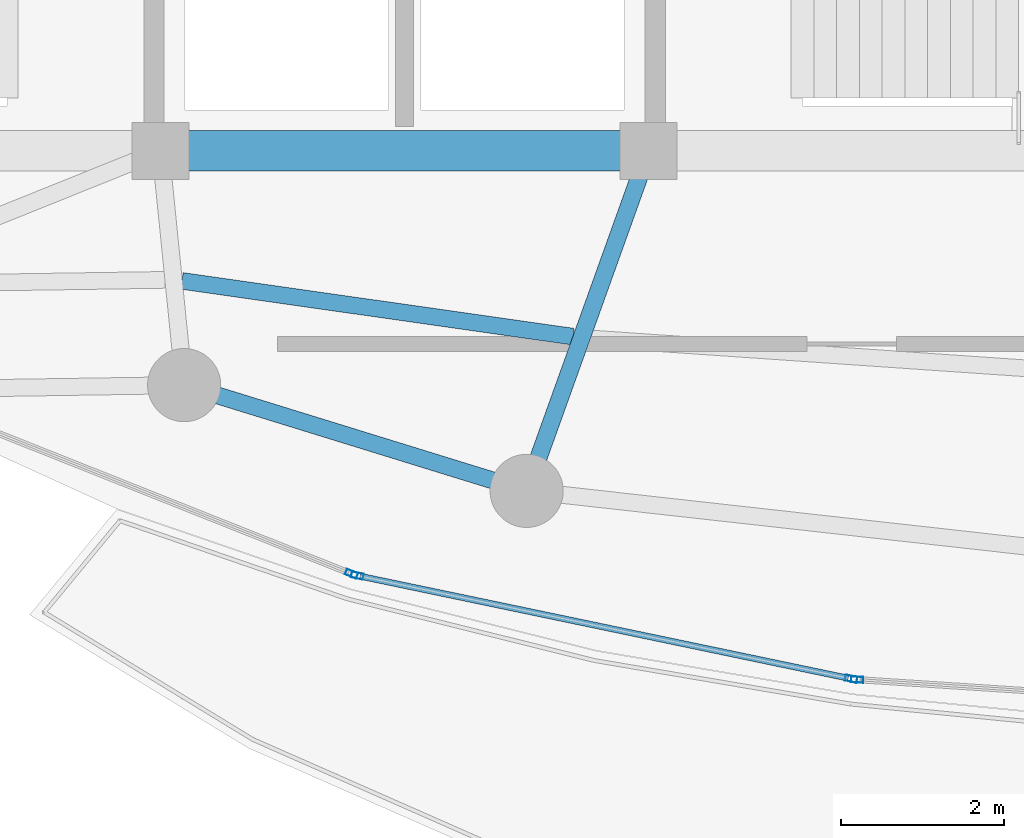
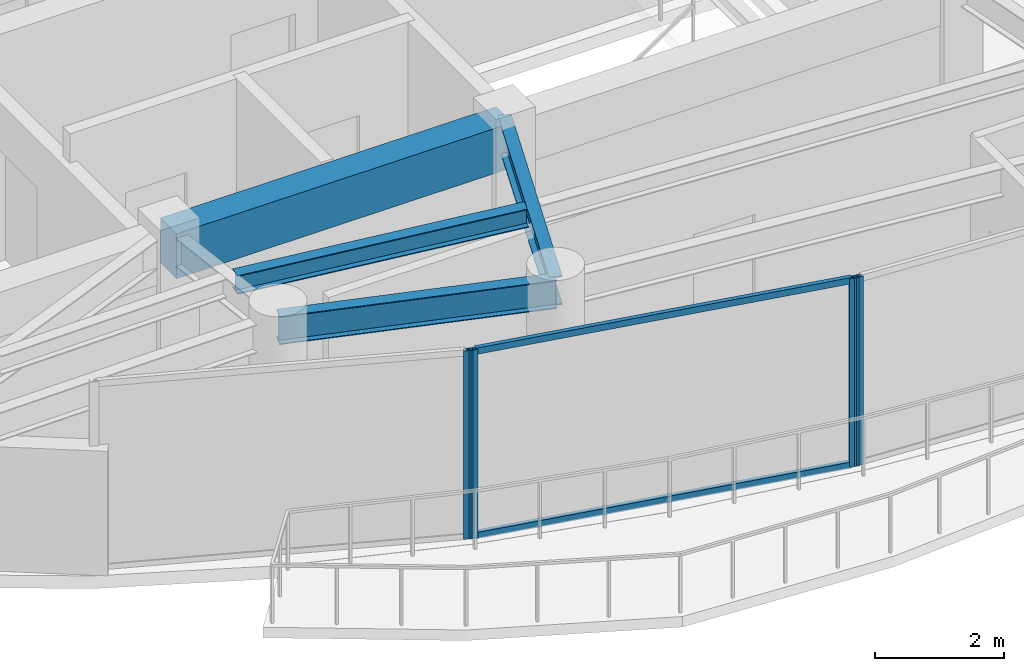
# One storey, part 5 of 23: 6 members, 4 beams, 3 elements without a shape of their own.
"""IFC4 building model written with IfcOpenShell, lengths in metres."""

import ifcopenshell
import ifcopenshell.guid

model = None  # the IFC model being written
_history = None  # IfcOwnerHistory: only IFC2X3 demands one
_inside = {}  # id of a spatial element -> (the spatial element, [elements in it])
_under = {}  # id of a project, library or spatial element -> (it, [spatial elements below it])
_declared = {}  # id of a project -> (the project, [libraries it declares])
_typed = {}  # id of a type object -> (the type object, [elements of that type])
_made_of = {}  # id of a material, layer set ... -> (it, [elements and type objects made of it])


def new_model(schema):
    """Start an empty IFC model of exactly this schema.

    Asked for "IFC4X3", IfcOpenShell would pick the latest addendum, in which some entities
    have other attributes; the version numbers below select the first issue.
    IFC2X3 requires an IfcOwnerHistory on every rooted entity: one is made here for all.
    """
    global model, _history
    if schema == "IFC4X3":
        model = ifcopenshell.file(schema_version=(4, 3, 0, 0))
    else:
        model = ifcopenshell.file(schema=schema)
    _inside.clear()
    _under.clear()
    _declared.clear()
    _typed.clear()
    _made_of.clear()
    _history = None
    if model.schema == "IFC2X3":
        org = make("IfcOrganization", Name="unknown")
        user = make(
            "IfcPersonAndOrganization",
            ThePerson=make("IfcPerson", FamilyName="unknown"),
            TheOrganization=org,
        )
        app = make(
            "IfcApplication",
            ApplicationDeveloper=org,
            Version="unknown",
            ApplicationFullName="unknown",
            ApplicationIdentifier="unknown",
        )
        _history = make(
            "IfcOwnerHistory",
            OwningUser=user,
            OwningApplication=app,
            ChangeAction="ADDED",
            CreationDate=0,
        )
    return model


def make(cls, **values):
    """One entity of the class cls with the attributes given. An attribute that is None is left unset."""
    return model.create_entity(
        cls, **{name: value for name, value in values.items() if value is not None}
    )


def rooted(cls, **values):
    """An entity with a GlobalId (a new one), such as an element, a storey or a relation."""
    return make(cls, GlobalId=ifcopenshell.guid.new(), OwnerHistory=_history, **values)


def si_unit(unit_type, name, prefix=None):
    """IfcSIUnit, for example si_unit("LENGTHUNIT", "METRE", prefix="MILLI")."""
    return make("IfcSIUnit", UnitType=unit_type, Prefix=prefix, Name=name)


def assignment(units):
    """IfcUnitAssignment: the units of a project."""
    return None if units is None else make("IfcUnitAssignment", Units=units)


def point(xyz):
    """IfcCartesianPoint."""
    return None if xyz is None else make("IfcCartesianPoint", Coordinates=xyz)


def direction(xyz):
    """IfcDirection."""
    return None if xyz is None else make("IfcDirection", DirectionRatios=xyz)


def frame(location, z_axis=None, x_axis=None):
    """IfcAxis2Placement3D, a coordinate frame: its origin and axes. An axis left out is left unset."""
    return make(
        "IfcAxis2Placement3D",
        Location=point(location),
        Axis=direction(z_axis),
        RefDirection=direction(x_axis),
    )


def frame_2d(location, x_axis=None):
    """IfcAxis2Placement2D, a coordinate frame in the plane: its origin and x axis."""
    return make(
        "IfcAxis2Placement2D", Location=point(location), RefDirection=direction(x_axis)
    )


def origin():
    """The frame at (0, 0, 0) with its axes left unset."""
    return frame((0.0, 0.0, 0.0))


def origin_2d():
    """The frame at (0, 0) in the plane with its x axis left unset."""
    return frame_2d((0.0, 0.0))


def place(relative_to, where):
    """IfcLocalPlacement: puts the frame where relative to a parent placement (None: the world)."""
    return make(
        "IfcLocalPlacement", PlacementRelTo=relative_to, RelativePlacement=where
    )


def context(
    kind, dimensions, precision=None, world=None, true_north=None, identifier=None
):
    """IfcGeometricRepresentationContext, for example the 3D "Model" context."""
    return make(
        "IfcGeometricRepresentationContext",
        ContextIdentifier=identifier,
        ContextType=kind,
        CoordinateSpaceDimension=dimensions,
        Precision=precision,
        WorldCoordinateSystem=world,
        TrueNorth=true_north,
    )


def subcontext(parent, identifier, kind, view, scale=None):
    """IfcGeometricRepresentationSubContext, for example "Body" below "Model"."""
    return make(
        "IfcGeometricRepresentationSubContext",
        ContextIdentifier=identifier,
        ContextType=kind,
        ParentContext=parent,
        TargetScale=scale,
        TargetView=view,
    )


def project(units=None, contexts=None):
    """IfcProject with its units and contexts."""
    return rooted(
        "IfcProject",
        Name="project",
        RepresentationContexts=contexts,
        UnitsInContext=assignment(units),
    )


def spatial(cls, under=None, at=None, **own):
    """A site, building, storey or space (cls), placed at a placement, below another one or the project."""
    s = rooted(cls, ObjectPlacement=at, **own)
    if under is not None:
        _under.setdefault(under.id(), (under, []))[1].append(s)
    return s


def profile(cls, at=None, kind="AREA", **sizes):
    """A parametric profile (cls). Its sizes go by their IFC names, for example OverallWidth=200.0."""
    return make(cls, ProfileType=kind, Position=at, **sizes)


def rectangle(**sizes):
    """IfcRectangleProfileDef."""
    return profile("IfcRectangleProfileDef", **sizes)


def hollow_rectangle(**sizes):
    """IfcRectangleHollowProfileDef."""
    return profile("IfcRectangleHollowProfileDef", **sizes)


def i_section(**sizes):
    """IfcIShapeProfileDef."""
    return profile("IfcIShapeProfileDef", **sizes)


def extrude(swept, where, along, depth):
    """IfcExtrudedAreaSolid: the profile swept, set in the frame where, extruded along a direction by depth."""
    return make(
        "IfcExtrudedAreaSolid",
        SweptArea=swept,
        Position=where,
        ExtrudedDirection=direction(along),
        Depth=depth,
    )


def shape(context_of_items, identifier, shape_type, items):
    """IfcShapeRepresentation: the items that make up one representation, for example the "Body"."""
    return make(
        "IfcShapeRepresentation",
        ContextOfItems=context_of_items,
        RepresentationIdentifier=identifier,
        RepresentationType=shape_type,
        Items=items,
    )


def material(Name=None, Category=None):
    """IfcMaterial."""
    return make("IfcMaterial", Name=Name, Category=Category)


def layer(
    of_material, thickness, ventilated=None, Name=None, Category=None, Priority=None
):
    """IfcMaterialLayer: one layer of a wall or slab, of a material (None: an air gap)."""
    return make(
        "IfcMaterialLayer",
        Material=of_material,
        LayerThickness=thickness,
        IsVentilated=ventilated,
        Name=Name,
        Category=Category,
        Priority=Priority,
    )


def layer_set(layers, Name=None):
    """IfcMaterialLayerSet."""
    return make("IfcMaterialLayerSet", MaterialLayers=layers, LayerSetName=Name)


def material_profile(
    of_material, cross_section, Name=None, Category=None, Priority=None
):
    """IfcMaterialProfile: a cross section and its material."""
    return make(
        "IfcMaterialProfile",
        Name=Name,
        Material=of_material,
        Profile=cross_section,
        Priority=Priority,
        Category=Category,
    )


def profile_set(profiles, Name=None, composite=None):
    """IfcMaterialProfileSet."""
    return make(
        "IfcMaterialProfileSet",
        Name=Name,
        MaterialProfiles=profiles,
        CompositeProfile=composite,
    )


def made_of(thing, what):
    """Note that an element or type object is made of a material, layer set ...; save() writes the relation."""
    if what is not None:
        _made_of.setdefault(what.id(), (what, []))[1].append(thing)
    return thing


def type_object(cls, material=None, **own):
    """A type object (cls), such as IfcWallType, which elements share."""
    return made_of(rooted(cls, **own), material)


def element(
    cls,
    number,
    at=None,
    inside=None,
    cuts=None,
    type_object=None,
    material=None,
    context=None,
    identifier="Body",
    shape_type=None,
    held_by="IfcProductDefinitionShape",
    body=None,
    shapes=None,
    **own,
):
    """One element of the class cls, such as IfcWall. Its Tag is "e" and its number.

    at: its placement. inside: the storey or other place that contains it. cuts: it is an
    opening in that element (IfcRelVoidsElement). A single representation is given by context,
    identifier, shape_type and body (its items); several are given by shapes. held_by: the class
    of the entity that holds the representations. save() writes the other relations.
    """
    e = rooted(cls, Tag="e%d" % number, ObjectPlacement=at, **own)
    if body is not None:
        shapes = [shape(context, identifier, shape_type, body)]
    if shapes is not None:
        e.Representation = make(held_by, Representations=shapes)
    if inside is not None:
        _inside.setdefault(inside.id(), (inside, []))[1].append(e)
    if cuts is not None:
        rooted(
            "IfcRelVoidsElement", RelatingBuildingElement=cuts, RelatedOpeningElement=e
        )
    if type_object is not None:
        _typed.setdefault(type_object.id(), (type_object, []))[1].append(e)
    return made_of(e, material)


def aggregate(whole, parts):
    """IfcRelAggregates: a whole, such as a stair, and the parts it consists of."""
    return rooted("IfcRelAggregates", RelatingObject=whole, RelatedObjects=parts)


def save(model, path):
    """Write the relations noted so far, then the file.

    IfcRelAggregates (storeys below a building ...), IfcRelContainedInSpatialStructure (elements
    in a storey), IfcRelDefinesByType, IfcRelAssociatesMaterial and IfcRelDeclares: one each for
    every whole, place, type object, material and project.
    """
    for whole, parts in _under.values():
        aggregate(whole, parts)
    for where, things in _inside.values():
        rooted(
            "IfcRelContainedInSpatialStructure",
            RelatedElements=things,
            RelatingStructure=where,
        )
    for kind, things in _typed.values():
        rooted("IfcRelDefinesByType", RelatedObjects=things, RelatingType=kind)
    for what, things in _made_of.values():
        rooted("IfcRelAssociatesMaterial", RelatedObjects=things, RelatingMaterial=what)
    for by, libraries in _declared.values():
        rooted("IfcRelDeclares", RelatingContext=by, RelatedDefinitions=libraries)
    model.write(path)


model = new_model("IFC4")

# Units and contexts
model_context = context("Model", 3, precision=1e-05, world=origin(), true_north=direction((0.0, 1.0)))
body_context = subcontext(model_context, "Body", "Model", "MODEL_VIEW")
ifc_project = project(units=[si_unit("LENGTHUNIT", "METRE"), si_unit("AREAUNIT", "SQUARE_METRE"), si_unit("VOLUMEUNIT", "CUBIC_METRE"), si_unit("PLANEANGLEUNIT", "RADIAN"), si_unit("MASSUNIT", "GRAM", prefix="KILO")], contexts=[model_context])

# Site, building, storey
site_placement = place(None, origin())
site = spatial("IfcSite", under=ifc_project, at=site_placement, CompositionType="ELEMENT")
building_placement = place(site_placement, origin())
building = spatial("IfcBuilding", under=site, at=building_placement, Name="Kazevale Care Tower and Concert Hall", CompositionType="ELEMENT")
storey_placement = place(building_placement, frame((0.0, 0.0, 266.199951171875)))
storey = spatial("IfcBuildingStorey", under=building, at=storey_placement, Name="L70", CompositionType="ELEMENT", Elevation=266.199951171875)

# Curtain wall, member
ifc_material_1 = material(Name="Aluminium 6063-T6 and Low-E Glass", Category="aluminium")
ifc_layer = layer(ifc_material_1, 0.179931640625)
ifc_layer_set = layer_set([ifc_layer], Name="Aluminium 6063-T6 and Low-E Glass")
curtain_wall_type = type_object("IfcCurtainWallType", Name="Sheltered Concave Balcony Curtain Wall CW-5", PredefinedType="NOTDEFINED", material=ifc_layer_set)
curtain_wall_1_placement = place(storey_placement, origin())
curtain_wall_1 = element("IfcCurtainWall", 1, at=curtain_wall_1_placement, inside=storey, type_object=curtain_wall_type, Name="cw:L70:f02", PredefinedType="NOTDEFINED")
ifc_material_2 = material(Name="Aluminium 6063-T6", Category="aluminium")
ifc_material_profile_1 = material_profile(ifc_material_2, hollow_rectangle(XDim=0.074951171875, YDim=0.14990234375, WallThickness=0.00390625, at=origin_2d()), Name="ALU75x150x4")
ifc_profile_set_1 = profile_set([ifc_material_profile_1], Name="Aluminium 6063-T6")
member_type_1 = type_object("IfcMemberType", Name="CW-5 Mullion ALU75x150x4", PredefinedType="MULLION", material=ifc_profile_set_1)
member_1_placement = place(storey_placement, frame((38.5634765625, 17.099609375, 0.0), z_axis=(0.0, 0.0, 1.0), x_axis=(-0.065045771206, -0.997882281458, 0.0)))
member_1 = element("IfcMember", 2, at=member_1_placement, type_object=member_type_1, Name="CW-5 mullion 2", PredefinedType="MULLION", context=body_context, shape_type="SweptSolid", body=[
    extrude(hollow_rectangle(XDim=0.074951171875, YDim=0.14990234375, WallThickness=0.00390625, at=origin_2d()), origin(), (0.0, 0.0, 1.0), 3.56005859375),
])
aggregate(curtain_wall_1, [member_1])

# Curtain wall, members
curtain_wall_2_placement = place(storey_placement, origin())
curtain_wall_2 = element("IfcCurtainWall", 3, at=curtain_wall_2_placement, inside=storey, type_object=curtain_wall_type, Name="cw:L70:f03", PredefinedType="NOTDEFINED")
member_2_placement = place(storey_placement, frame((38.4892578125, 17.109619140625, 0.0), z_axis=(0.0, 0.0, 1.0), x_axis=(-0.204564979592, -0.978852986472, 0.0)))
member_2 = element("IfcMember", 4, at=member_2_placement, type_object=member_type_1, Name="CW-5 mullion 1", PredefinedType="MULLION", context=body_context, shape_type="SweptSolid", body=[
    extrude(hollow_rectangle(XDim=0.074951171875, YDim=0.14990234375, WallThickness=0.00390625, at=origin_2d()), origin(), (0.0, 0.0, 1.0), 3.56005859375),
])
member_3_placement = place(storey_placement, frame((32.418701171875, 18.37841796875, 0.0), z_axis=(0.0, 0.0, 1.0), x_axis=(-0.204564979592, -0.978852986472, 0.0)))
member_3 = element("IfcMember", 5, at=member_3_placement, type_object=member_type_1, Name="CW-5 mullion 2", PredefinedType="MULLION", context=body_context, shape_type="SweptSolid", body=[
    extrude(hollow_rectangle(XDim=0.074951171875, YDim=0.14990234375, WallThickness=0.00390625, at=origin_2d()), origin(), (0.0, 0.0, 1.0), 3.56005859375),
])

# Curtain wall, member
curtain_wall_3_placement = place(storey_placement, origin())
curtain_wall_3 = element("IfcCurtainWall", 6, at=curtain_wall_3_placement, inside=storey, type_object=curtain_wall_type, Name="cw:L70:f04", PredefinedType="NOTDEFINED")
member_4_placement = place(storey_placement, frame((32.34716796875, 18.39990234375, 0.0), z_axis=(0.0, 0.0, 1.0), x_axis=(-0.369556171894, -0.929208392028, 0.0)))
member_4 = element("IfcMember", 7, at=member_4_placement, type_object=member_type_1, Name="CW-5 mullion 1", PredefinedType="MULLION", context=body_context, shape_type="SweptSolid", body=[
    extrude(hollow_rectangle(XDim=0.074951171875, YDim=0.14990234375, WallThickness=0.00390625, at=origin_2d()), origin(), (0.0, 0.0, 1.0), 3.56005859375),
])
aggregate(curtain_wall_3, [member_4])

# Member
ifc_material_profile_2 = material_profile(ifc_material_2, hollow_rectangle(XDim=0.074951171875, YDim=0.1201171875, WallThickness=0.00390625, at=origin_2d()), Name="ALU75x120x4")
ifc_profile_set_2 = profile_set([ifc_material_profile_2], Name="Aluminium 6063-T6")
member_type_2 = type_object("IfcMemberType", Name="CW-5 Transom ALU75x120x4", PredefinedType="USERDEFINED", material=ifc_profile_set_2)
member_5_placement = place(storey_placement, frame((38.45263671875, 17.117431640625, 0.03759765625), z_axis=(-0.9788585808, 0.20453820864, 0.0), x_axis=(-0.20453820864, -0.9788585808, 0.0)))
member_5 = element("IfcMember", 8, at=member_5_placement, type_object=member_type_2, Name="CW-5 transom 1.1", ObjectType="TRANSOM", PredefinedType="USERDEFINED", context=body_context, shape_type="SweptSolid", body=[
    extrude(hollow_rectangle(XDim=0.074951171875, YDim=0.1201171875, WallThickness=0.00390625, at=origin_2d()), origin(), (0.0, 0.0, 1.0), 6.126953125),
])

member_6_placement = place(storey_placement, frame((38.45263671875, 17.117431640625, 3.5224609375), z_axis=(-0.9788585808, 0.20453820864, 0.0), x_axis=(-0.20453820864, -0.9788585808, 0.0)))
member_6 = element("IfcMember", 9, at=member_6_placement, type_object=member_type_2, Name="CW-5 transom 1.2", ObjectType="TRANSOM", PredefinedType="USERDEFINED", context=body_context, shape_type="SweptSolid", body=[
    extrude(hollow_rectangle(XDim=0.074951171875, YDim=0.1201171875, WallThickness=0.00390625, at=origin_2d()), origin(), (0.0, 0.0, 1.0), 6.126953125),
])

aggregate(curtain_wall_2, [member_2, member_3, member_5, member_6])

# Beams
ifc_material_3 = material(Name="Concrete C60", Category="concrete")
ifc_material_profile_3 = material_profile(ifc_material_3, rectangle(XDim=0.5, YDim=0.85009765625, at=origin_2d()), Name="RC-B500x850")
ifc_profile_set_3 = profile_set([ifc_material_profile_3], Name="Concrete C60")
beam_type_1 = type_object("IfcBeamType", Name="Core Coupling Beam RC500x850", PredefinedType="LINTEL", material=ifc_profile_set_3)
beam_1_placement = place(storey_placement, frame((30.0, 23.60009765625, 3.135009765625), z_axis=(1.0, 0.0, 0.0), x_axis=(0.0, 1.0, 0.0)))
element("IfcBeam", 10, at=beam_1_placement, inside=storey, type_object=beam_type_1, Name="beam:L70:coretie:2", PredefinedType="LINTEL", context=body_context, shape_type="SweptSolid", body=[
    extrude(rectangle(XDim=0.5, YDim=0.85009765625, at=origin_2d()), origin(), (0.0, 0.0, 1.0), 6.0),
])
ifc_material_4 = material(Name="Steel ASTM A572 Gr 50", Category="steel")
ifc_material_profile_4 = material_profile(ifc_material_4, i_section(OverallWidth=0.2119140625, OverallDepth=0.5439453125, WebThickness=0.01318359375, FlangeThickness=0.021240234375, at=origin_2d()), Name="W530x123")
ifc_profile_set_4 = profile_set([ifc_material_profile_4], Name="Steel ASTM A572 Gr 50")
beam_type_2 = type_object("IfcBeamType", Name="Radial Floor Girder W530x123", PredefinedType="BEAM", material=ifc_profile_set_4)
beam_2_placement = place(storey_placement, frame((36.0, 23.60009765625, 3.2880859375), z_axis=(-0.33774987593, -0.941235900988, 0.0), x_axis=(0.941235900988, -0.33774987593, 0.0)))
element("IfcBeam", 11, at=beam_2_placement, inside=storey, type_object=beam_type_2, Name="beam:L70:rad:12", PredefinedType="BEAM", context=body_context, shape_type="SweptSolid", body=[
    extrude(i_section(OverallWidth=0.2119140625, OverallDepth=0.5439453125, WebThickness=0.01318359375, FlangeThickness=0.021240234375, at=origin_2d()), origin(), (0.0, 0.0, 1.0), 4.441162109375),
])
ifc_material_profile_5 = material_profile(ifc_material_4, i_section(OverallWidth=0.205078125, OverallDepth=0.35400390625, WebThickness=0.009521484375, FlangeThickness=0.016845703125, at=origin_2d()), Name="W360x79")
ifc_profile_set_5 = profile_set([ifc_material_profile_5], Name="Steel ASTM A572 Gr 50")
beam_type_3 = type_object("IfcBeamType", Name="Secondary Floor Joist W360x79", PredefinedType="JOIST", material=ifc_profile_set_5)
beam_3_placement = place(storey_placement, frame((30.262939453125, 22.0009765625, 3.383056640625), z_axis=(0.99000170599, -0.141055386768, 0.0), x_axis=(0.141055386768, 0.99000170599, 0.0)))
element("IfcBeam", 12, at=beam_3_placement, inside=storey, type_object=beam_type_3, Name="beam:L70:joist:11", PredefinedType="JOIST", context=body_context, shape_type="SweptSolid", body=[
    extrude(i_section(OverallWidth=0.205078125, OverallDepth=0.35400390625, WebThickness=0.009521484375, FlangeThickness=0.016845703125, at=origin_2d()), origin(), (0.0, 0.0, 1.0), 4.856689453125),
])
ifc_material_profile_6 = material_profile(ifc_material_4, i_section(OverallWidth=0.208984375, OverallDepth=0.532958984375, WebThickness=0.01025390625, FlangeThickness=0.015625, at=origin_2d()), Name="W530x92")
ifc_profile_set_6 = profile_set([ifc_material_profile_6], Name="Steel ASTM A572 Gr 50")
beam_type_4 = type_object("IfcBeamType", Name="Upper Ring Beam W530x92", PredefinedType="BEAM", material=ifc_profile_set_6)
beam_4_placement = place(storey_placement, frame((30.2900390625, 20.719970703125, 3.29345703125), z_axis=(0.955480204609, -0.295055212801, 0.0), x_axis=(0.295055212801, 0.955480204609, 0.0)))
element("IfcBeam", 13, at=beam_4_placement, inside=storey, type_object=beam_type_4, Name="beam:L70:ring:11", PredefinedType="BEAM", context=body_context, shape_type="SweptSolid", body=[
    extrude(i_section(OverallWidth=0.208984375, OverallDepth=0.532958984375, WebThickness=0.01025390625, FlangeThickness=0.015625, at=origin_2d()), origin(), (0.0, 0.0, 1.0), 4.406005859375),
])

save(model, "model.ifc")
